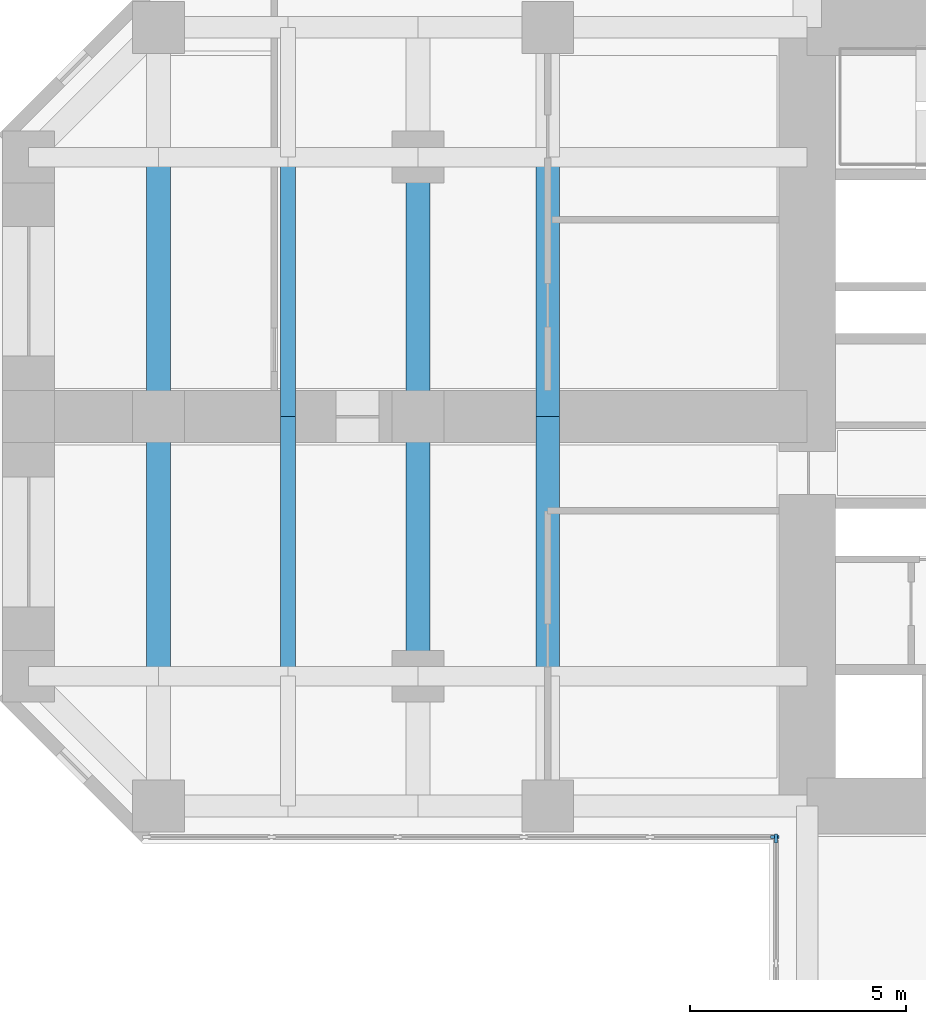
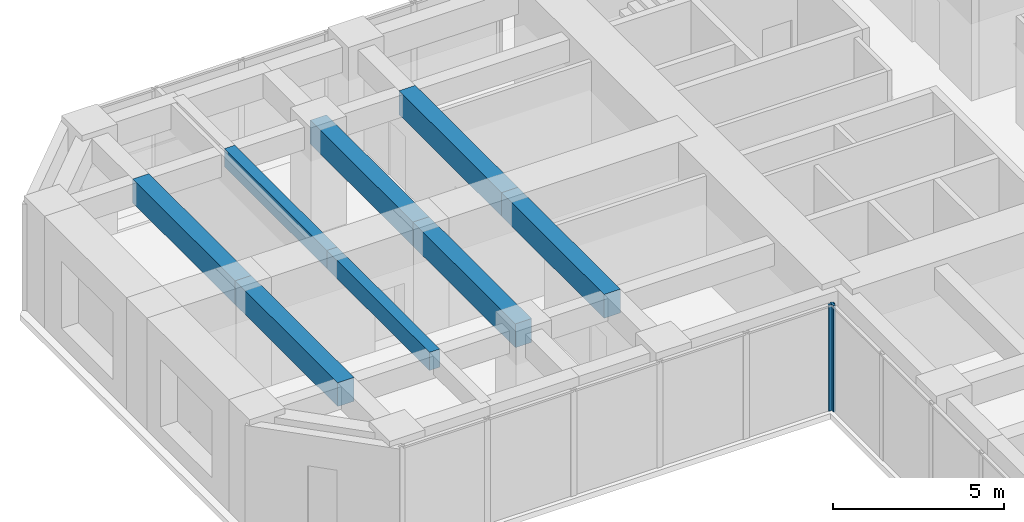
# One storey, part 3 of 12: 8 beams, 2 members, 2 elements without a shape of their own.
"""IFC4 building model written with IfcOpenShell, lengths in metres."""

from ifc_helpers import new_model, si_unit, direction, frame, origin, origin_2d, place, context, subcontext, project, spatial, rectangle, extrude, material, material_profile, profile_set, type_object, element, aggregate, save


model = new_model("IFC4")

# Units and contexts
model_context = context("Model", 3, precision=1e-05, world=origin(), true_north=direction((0.0, 1.0)))
body_context = subcontext(model_context, "Body", "Model", "MODEL_VIEW")
ifc_project = project(units=[si_unit("LENGTHUNIT", "METRE"), si_unit("AREAUNIT", "SQUARE_METRE"), si_unit("VOLUMEUNIT", "CUBIC_METRE"), si_unit("PLANEANGLEUNIT", "RADIAN"), si_unit("MASSUNIT", "GRAM", prefix="KILO")], contexts=[model_context])

# Site, building, storey
site_placement = place(None, origin())
site = spatial("IfcSite", under=ifc_project, at=site_placement, CompositionType="ELEMENT")
building_placement = place(site_placement, origin())
building = spatial("IfcBuilding", under=site, at=building_placement, Name="Torre Cruceta", CompositionType="ELEMENT")
storey_placement = place(building_placement, frame((0.0, 0.0, 83.5)))
storey = spatial("IfcBuildingStorey", under=building, at=storey_placement, Name="L20", CompositionType="ELEMENT", Elevation=83.5)

# Beams
ifc_material_1 = material(Name="Concrete G60 (fck 60 MPa)", Category="concrete")
ifc_material_profile_1 = material_profile(ifc_material_1, rectangle(XDim=0.550048828125, YDim=0.85009765625, at=origin_2d()), Name="RC 550X850")
ifc_profile_set_1 = profile_set([ifc_material_profile_1], Name="Concrete G60 (fck 60 MPa)")
beam_type_1 = type_object("IfcBeamType", Name="CROSS BEAM RC 550X850", PredefinedType="BEAM", material=ifc_profile_set_1)
for number, where, z_axis, x_axis, name in (
    (1, (-15.0, 6.0, 3.375), (0.0, -1.0, 0.0), (1.0, 0.0, 0.0), "GB4 L20 W cross15 2"),
    (2, (-15.0, 0.0, 3.375), (0.0, -1.0, 0.0), (1.0, 0.0, 0.0), "GB4 L20 W cross15 3"),
    (3, (-18.0, 6.0, 3.375), (0.0, -1.0, 0.0), (1.0, 0.0, 0.0), "GB4 L20 W cross18 2"),
    (4, (-18.0, 0.0, 3.375), (0.0, -1.0, 0.0), (1.0, 0.0, 0.0), "GB4 L20 W cross18 3"),
    (5, (-24.0, 6.0, 3.375), (0.0, -1.0, 0.0), (1.0, 0.0, 0.0), "GB4 L20 W cross24 2"),
    (6, (-24.0, 0.0, 3.375), (0.0, -1.0, 0.0), (1.0, 0.0, 0.0), "GB4 L20 W cross24 3"),
):
    element("IfcBeam", number, at=place(storey_placement, frame(where, z_axis=z_axis, x_axis=x_axis)), inside=storey, type_object=beam_type_1, Name=name, PredefinedType="BEAM", context=body_context, shape_type="SweptSolid", body=[
        extrude(rectangle(XDim=0.550048828125, YDim=0.85009765625, at=origin_2d()), origin(), (0.0, 0.0, 1.0), 6.0),
    ])

# Curtain wall, member
ifc_material_2 = material(Name="Aluminium unitised curtain wall", Category="aluminium")
curtain_wall_type = type_object("IfcCurtainWallType", Name="CURTAIN WALL CW-A OFFICE LOW RISE", PredefinedType="USERDEFINED", material=ifc_material_2)
curtain_wall_1_placement = place(storey_placement, origin())
curtain_wall_1 = element("IfcCurtainWall", 7, at=curtain_wall_1_placement, inside=storey, type_object=curtain_wall_type, Name="CW-A L20 W side 14", ObjectType="UNITISED", PredefinedType="USERDEFINED")
ifc_material_3 = material(Name="Aluminium mullion", Category="aluminium")
ifc_material_profile_2 = material_profile(ifc_material_3, rectangle(XDim=0.06494140625, YDim=0.199951171875, at=origin_2d()), Name="AL 65X200")
ifc_profile_set_2 = profile_set([ifc_material_profile_2], Name="Aluminium mullion")
member_type = type_object("IfcMemberType", Name="CW-A MULLION 65X200", PredefinedType="MULLION", material=ifc_profile_set_2)
member_1_placement = place(storey_placement, frame((-9.75244140625, -9.719970703125, 0.0), z_axis=(0.0, 0.0, 1.0), x_axis=(0.0, 1.0, 0.0)))
member_1 = element("IfcMember", 8, at=member_1_placement, type_object=member_type, Name="CW-A mullion 6", PredefinedType="MULLION", context=body_context, shape_type="SweptSolid", body=[
    extrude(rectangle(XDim=0.06494140625, YDim=0.199951171875, at=origin_2d()), origin(), (0.0, 0.0, 1.0), 3.800048828125),
])
aggregate(curtain_wall_1, [member_1])

curtain_wall_2_placement = place(storey_placement, origin())
curtain_wall_2 = element("IfcCurtainWall", 9, at=curtain_wall_2_placement, inside=storey, type_object=curtain_wall_type, Name="CW-A L20 S side 15", ObjectType="UNITISED", PredefinedType="USERDEFINED")
member_2_placement = place(storey_placement, frame((-9.719970703125, -9.75244140625, 0.0), z_axis=(0.0, 0.0, 1.0), x_axis=(1.0, 0.0, 0.0)))
member_2 = element("IfcMember", 10, at=member_2_placement, type_object=member_type, Name="CW-A mullion 1", PredefinedType="MULLION", context=body_context, shape_type="SweptSolid", body=[
    extrude(rectangle(XDim=0.06494140625, YDim=0.199951171875, at=origin_2d()), origin(), (0.0, 0.0, 1.0), 3.800048828125),
])
aggregate(curtain_wall_2, [member_2])

# Beams
ifc_material_4 = material(Name="Concrete G60 (fck 60 MPa)", Category="concrete")
ifc_material_profile_3 = material_profile(ifc_material_4, rectangle(XDim=0.35009765625, YDim=0.64990234375, at=origin_2d()), Name="RC 350X650")
ifc_profile_set_3 = profile_set([ifc_material_profile_3], Name="Concrete G60 (fck 60 MPa)")
beam_type_2 = type_object("IfcBeamType", Name="SECONDARY BEAM RC 350X650", PredefinedType="JOIST", material=ifc_profile_set_3)
for number, where, z_axis, x_axis, name in (
    (11, (-21.0, 6.0, 3.47509765625), (0.0, -1.0, 0.0), (1.0, 0.0, 0.0), "JB3 L20 W sec21 2"),
    (12, (-21.0, 0.0, 3.47509765625), (0.0, -1.0, 0.0), (1.0, 0.0, 0.0), "JB3 L20 W sec21 3"),
):
    element("IfcBeam", number, at=place(storey_placement, frame(where, z_axis=z_axis, x_axis=x_axis)), inside=storey, type_object=beam_type_2, Name=name, PredefinedType="JOIST", context=body_context, shape_type="SweptSolid", body=[
        extrude(rectangle(XDim=0.35009765625, YDim=0.64990234375, at=origin_2d()), origin(), (0.0, 0.0, 1.0), 6.0),
    ])

save(model, "model.ifc")
